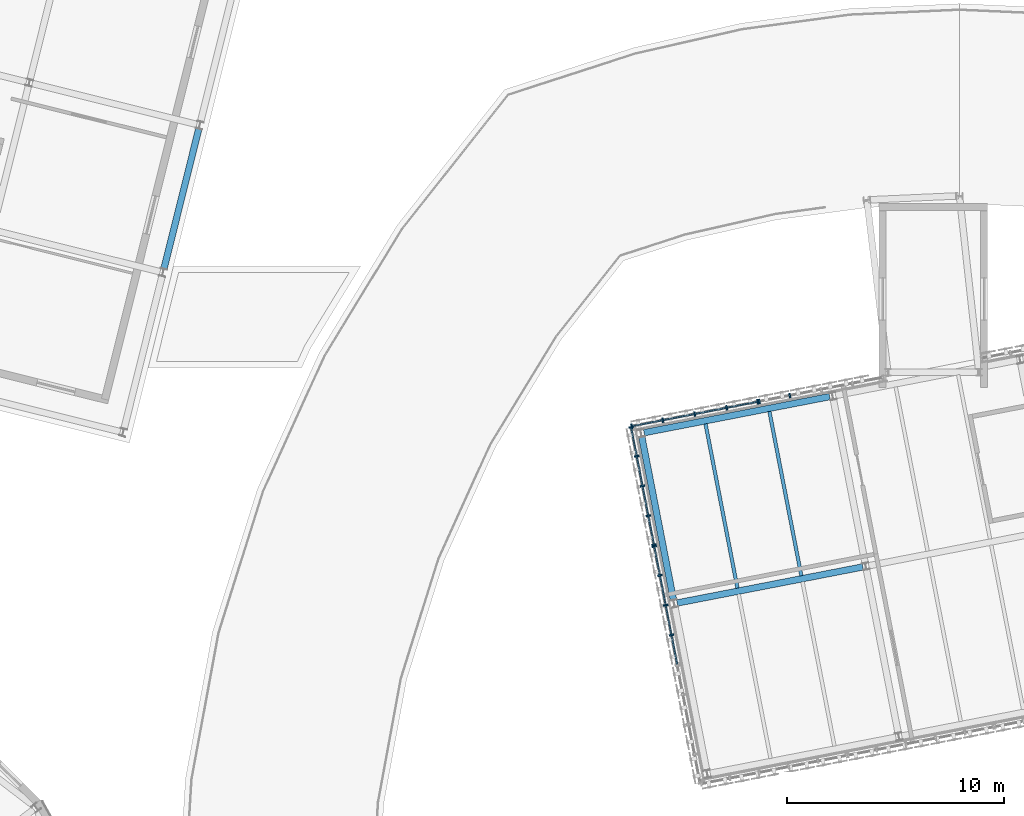
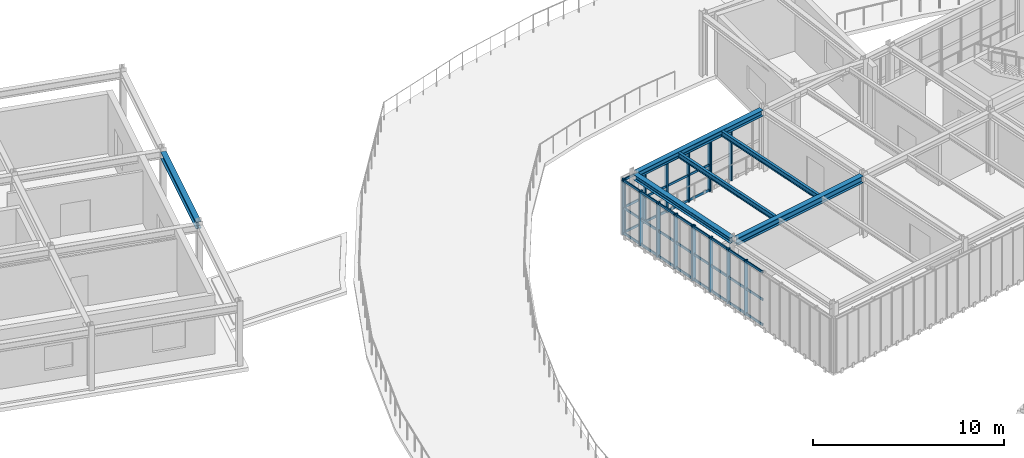
# One storey, part 21 of 59: 25 members, 6 beams, 4 elements without a shape of their own.
"""IFC4 building model written with IfcOpenShell, lengths in metres."""

from ifc_helpers import new_model, si_unit, direction, frame, origin, origin_2d, place, context, subcontext, project, spatial, rectangle, i_section, extrude, material, material_profile, profile_set, type_object, element, aggregate, save


model = new_model("IFC4")

# Units and contexts
model_context = context("Model", 3, precision=1e-05, world=origin(), true_north=direction((0.0, 1.0)))
body_context = subcontext(model_context, "Body", "Model", "MODEL_VIEW")
ifc_project = project(units=[si_unit("LENGTHUNIT", "METRE"), si_unit("AREAUNIT", "SQUARE_METRE"), si_unit("VOLUMEUNIT", "CUBIC_METRE"), si_unit("PLANEANGLEUNIT", "RADIAN"), si_unit("MASSUNIT", "GRAM", prefix="KILO")], contexts=[model_context])

# Site, building, storey
site_placement = place(None, origin())
site = spatial("IfcSite", under=ifc_project, at=site_placement, CompositionType="ELEMENT")
building_placement = place(site_placement, origin())
building = spatial("IfcBuilding", under=site, at=building_placement, Name="Varnklinge Art Gallery", CompositionType="ELEMENT")
storey_placement = place(building_placement, frame((0.0, 0.0, 9.52001953125)))
storey = spatial("IfcBuildingStorey", under=building, at=storey_placement, Name="L02", CompositionType="ELEMENT", Elevation=9.52001953125)

# Beams
ifc_material_1 = material(Name="Steel S355", Category="steel")
ifc_material_profile_1 = material_profile(ifc_material_1, i_section(OverallWidth=0.300048828125, OverallDepth=0.43994140625, WebThickness=0.011474609375, FlangeThickness=0.02099609375, FilletRadius=0.027099609375, at=origin_2d()), Name="HEA 450")
ifc_profile_set_1 = profile_set([ifc_material_profile_1], Name="Steel S355")
beam_type_1 = type_object("IfcBeamType", Name="BM-08", PredefinedType="BEAM", material=ifc_profile_set_1)
beam_1_placement = place(storey_placement, frame((62.483642578125, 69.969970703125, 3.739990234375), z_axis=(0.981628064538, 0.190804462503, 0.0), x_axis=(-0.190804462503, 0.981628064538, 0.0)))
element("IfcBeam", 1, at=beam_1_placement, inside=storey, type_object=beam_type_1, Name="L02 BM-08 BM-V4B-L03-U1-0", PredefinedType="BEAM", context=body_context, shape_type="SweptSolid", body=[
    extrude(i_section(OverallWidth=0.300048828125, OverallDepth=0.43994140625, WebThickness=0.011474609375, FlangeThickness=0.02099609375, FilletRadius=0.027099609375, at=origin_2d()), origin(), (0.0, 0.0, 1.0), 8.719970703125),
])
beam_2_placement = place(storey_placement, frame((38.808837890625, 85.3447265625, 3.699951171875), z_axis=(0.241920106756, 0.970296172283, 0.0), x_axis=(-0.970296172283, 0.241920106756, 0.0)))
element("IfcBeam", 2, at=beam_2_placement, inside=storey, type_object=beam_type_1, Name="L02 BM-08 BM-V5-L03-V4-1", PredefinedType="BEAM", context=body_context, shape_type="SweptSolid", body=[
    extrude(i_section(OverallWidth=0.300048828125, OverallDepth=0.43994140625, WebThickness=0.011474609375, FlangeThickness=0.02099609375, FilletRadius=0.027099609375, at=origin_2d()), origin(), (0.0, 0.0, 1.0), 6.72021484375),
])
ifc_material_2 = material(Name="Steel S355", Category="steel")
ifc_material_profile_2 = material_profile(ifc_material_2, i_section(OverallWidth=0.159912109375, OverallDepth=0.330078125, WebThickness=0.007568359375, FlangeThickness=0.011474609375, FilletRadius=0.01806640625, at=origin_2d()), Name="IPE 330")
ifc_profile_set_2 = profile_set([ifc_material_profile_2], Name="Steel S355")
beam_type_2 = type_object("IfcBeamType", Name="JST-07", PredefinedType="JOIST", material=ifc_profile_set_2)
beam_3_placement = place(storey_placement, frame((65.264404296875, 70.653076171875, 3.794921875), z_axis=(-0.190822257393, 0.98162460548, 0.0), x_axis=(-0.98162460548, -0.190822257393, 0.0)))
element("IfcBeam", 3, at=beam_3_placement, inside=storey, type_object=beam_type_2, Name="L02 JST-07 JST-V4B-L03-0-1-1", PredefinedType="JOIST", context=body_context, shape_type="SweptSolid", body=[
    extrude(i_section(OverallWidth=0.159912109375, OverallDepth=0.330078125, WebThickness=0.007568359375, FlangeThickness=0.011474609375, FilletRadius=0.01806640625, at=origin_2d()), origin(), (0.0, 0.0, 1.0), 7.719970703125),
])
beam_4_placement = place(storey_placement, frame((68.209228515625, 71.225341796875, 3.794921875), z_axis=(-0.190816333803, 0.981625756974, 0.0), x_axis=(-0.981625756974, -0.190816333803, 0.0)))
element("IfcBeam", 4, at=beam_4_placement, inside=storey, type_object=beam_type_2, Name="L02 JST-07 JST-V4B-L03-0-1-2", PredefinedType="JOIST", context=body_context, shape_type="SweptSolid", body=[
    extrude(i_section(OverallWidth=0.159912109375, OverallDepth=0.330078125, WebThickness=0.007568359375, FlangeThickness=0.011474609375, FilletRadius=0.01806640625, at=origin_2d()), origin(), (0.0, 0.0, 1.0), 7.72021484375),
])

# Curtain wall, members
ifc_material_3 = material(Name="Anodised Aluminium", Category="aluminium")
curtain_wall_type_1 = type_object("IfcCurtainWallType", Name="CW-L03", PredefinedType="USERDEFINED", material=ifc_material_3)
curtain_wall_1_placement = place(storey_placement, origin())
curtain_wall_1 = element("IfcCurtainWall", 5, at=curtain_wall_1_placement, inside=storey, type_object=curtain_wall_type_1, Name="L02 Curtain Wall CW-V4B-L02-3-2-1", ObjectType="UNITISED CURTAIN WALL", PredefinedType="USERDEFINED")
ifc_material_4 = material(Name="Anodised Aluminium", Category="aluminium")
ifc_material_profile_3 = material_profile(ifc_material_4, rectangle(XDim=0.074951171875, YDim=0.219970703125, at=origin_2d()), Name="ALU 75x220")
ifc_profile_set_3 = profile_set([ifc_material_profile_3], Name="Anodised Aluminium")
member_type_1 = type_object("IfcMemberType", Name="MUL-02", PredefinedType="MULLION", material=ifc_profile_set_3)
member_1_placement = place(storey_placement, frame((67.676513671875, 79.53662109375, 0.0), z_axis=(0.0, 0.0, 1.0), x_axis=(-0.981627183448, -0.190808995377, 0.0)))
member_1 = element("IfcMember", 6, at=member_1_placement, type_object=member_type_1, Name="CW-V4B-L02-3-2-1 Mullion 4", PredefinedType="MULLION", context=body_context, shape_type="SweptSolid", body=[
    extrude(rectangle(XDim=0.074951171875, YDim=0.219970703125, at=origin_2d()), origin(), (0.0, 0.0, 1.0), 3.510009765625),
])
member_2_placement = place(storey_placement, frame((66.272216796875, 79.263671875, 0.0), z_axis=(0.0, 0.0, 1.0), x_axis=(-0.981627183448, -0.190808995377, 0.0)))
member_2 = element("IfcMember", 7, at=member_2_placement, type_object=member_type_1, Name="CW-V4B-L02-3-2-1 Mullion 5", PredefinedType="MULLION", context=body_context, shape_type="SweptSolid", body=[
    extrude(rectangle(XDim=0.074951171875, YDim=0.219970703125, at=origin_2d()), origin(), (0.0, 0.0, 1.0), 3.510009765625),
])
aggregate(curtain_wall_1, [member_1, member_2])

curtain_wall_2_placement = place(storey_placement, origin())
curtain_wall_2 = element("IfcCurtainWall", 8, at=curtain_wall_2_placement, inside=storey, type_object=curtain_wall_type_1, Name="L02 Curtain Wall CW-V4B-L02-3-2-2", ObjectType="UNITISED CURTAIN WALL", PredefinedType="USERDEFINED")
member_3_placement = place(storey_placement, frame((66.198486328125, 79.249267578125, 0.0), z_axis=(0.0, 0.0, 1.0), x_axis=(-0.981627183448, -0.190808995377, 0.0)))
member_3 = element("IfcMember", 9, at=member_3_placement, type_object=member_type_1, Name="CW-V4B-L02-3-2-2 Mullion 1", PredefinedType="MULLION", context=body_context, shape_type="SweptSolid", body=[
    extrude(rectangle(XDim=0.074951171875, YDim=0.219970703125, at=origin_2d()), origin(), (0.0, 0.0, 1.0), 3.510009765625),
])
member_4_placement = place(storey_placement, frame((64.76416015625, 78.970458984375, 0.0), z_axis=(0.0, 0.0, 1.0), x_axis=(-0.981627183448, -0.190808995377, 0.0)))
member_4 = element("IfcMember", 10, at=member_4_placement, type_object=member_type_1, Name="CW-V4B-L02-3-2-2 Mullion 2", PredefinedType="MULLION", context=body_context, shape_type="SweptSolid", body=[
    extrude(rectangle(XDim=0.074951171875, YDim=0.219970703125, at=origin_2d()), origin(), (0.0, 0.0, 1.0), 3.510009765625),
])
member_5_placement = place(storey_placement, frame((63.29296875, 78.684326171875, 0.0), z_axis=(0.0, 0.0, 1.0), x_axis=(-0.981627183448, -0.190808995377, 0.0)))
member_5 = element("IfcMember", 11, at=member_5_placement, type_object=member_type_1, Name="CW-V4B-L02-3-2-2 Mullion 3", PredefinedType="MULLION", context=body_context, shape_type="SweptSolid", body=[
    extrude(rectangle(XDim=0.074951171875, YDim=0.219970703125, at=origin_2d()), origin(), (0.0, 0.0, 1.0), 3.510009765625),
])
member_6_placement = place(storey_placement, frame((61.82177734375, 78.3984375, 0.0), z_axis=(0.0, 0.0, 1.0), x_axis=(-0.981627183448, -0.190808995377, 0.0)))
member_6 = element("IfcMember", 12, at=member_6_placement, type_object=member_type_1, Name="CW-V4B-L02-3-2-2 Mullion 4", PredefinedType="MULLION", context=body_context, shape_type="SweptSolid", body=[
    extrude(rectangle(XDim=0.074951171875, YDim=0.219970703125, at=origin_2d()), origin(), (0.0, 0.0, 1.0), 3.510009765625),
])
member_7_placement = place(storey_placement, frame((60.387451171875, 78.11962890625, 0.0), z_axis=(0.0, 0.0, 1.0), x_axis=(-0.981627183448, -0.190808995377, 0.0)))
member_7 = element("IfcMember", 13, at=member_7_placement, type_object=member_type_1, Name="CW-V4B-L02-3-2-2 Mullion 5", PredefinedType="MULLION", context=body_context, shape_type="SweptSolid", body=[
    extrude(rectangle(XDim=0.074951171875, YDim=0.219970703125, at=origin_2d()), origin(), (0.0, 0.0, 1.0), 3.510009765625),
])

ifc_material_5 = material(Name="Anodised Aluminium", Category="aluminium")
curtain_wall_type_2 = type_object("IfcCurtainWallType", Name="CW-L07", PredefinedType="USERDEFINED", material=ifc_material_5)
curtain_wall_3_placement = place(storey_placement, origin())
curtain_wall_3 = element("IfcCurtainWall", 14, at=curtain_wall_3_placement, inside=storey, type_object=curtain_wall_type_2, Name="L02 Curtain Wall CW-V4B-L02-4-1-1", ObjectType="UNITISED CURTAIN WALL", PredefinedType="USERDEFINED")
member_8_placement = place(storey_placement, frame((60.35791015625, 78.07568359375, 0.0), z_axis=(0.0, 0.0, 1.0), x_axis=(0.190808995377, -0.981627183448, 0.0)))
member_8 = element("IfcMember", 15, at=member_8_placement, type_object=member_type_1, Name="CW-V4B-L02-4-1-1 Mullion 1", PredefinedType="MULLION", context=body_context, shape_type="SweptSolid", body=[
    extrude(rectangle(XDim=0.074951171875, YDim=0.219970703125, at=origin_2d()), origin(), (0.0, 0.0, 1.0), 3.510009765625),
])
member_9_placement = place(storey_placement, frame((60.617919921875, 76.73828125, 0.0), z_axis=(0.0, 0.0, 1.0), x_axis=(0.190808995377, -0.981627183448, 0.0)))
member_9 = element("IfcMember", 16, at=member_9_placement, type_object=member_type_1, Name="CW-V4B-L02-4-1-1 Mullion 2", PredefinedType="MULLION", context=body_context, shape_type="SweptSolid", body=[
    extrude(rectangle(XDim=0.074951171875, YDim=0.219970703125, at=origin_2d()), origin(), (0.0, 0.0, 1.0), 3.510009765625),
])
member_10_placement = place(storey_placement, frame((60.885009765625, 75.364013671875, 0.0), z_axis=(0.0, 0.0, 1.0), x_axis=(0.190808995377, -0.981627183448, 0.0)))
member_10 = element("IfcMember", 17, at=member_10_placement, type_object=member_type_1, Name="CW-V4B-L02-4-1-1 Mullion 3", PredefinedType="MULLION", context=body_context, shape_type="SweptSolid", body=[
    extrude(rectangle(XDim=0.074951171875, YDim=0.219970703125, at=origin_2d()), origin(), (0.0, 0.0, 1.0), 3.510009765625),
])
member_11_placement = place(storey_placement, frame((61.152099609375, 73.98974609375, 0.0), z_axis=(0.0, 0.0, 1.0), x_axis=(0.190808995377, -0.981627183448, 0.0)))
member_11 = element("IfcMember", 18, at=member_11_placement, type_object=member_type_1, Name="CW-V4B-L02-4-1-1 Mullion 4", PredefinedType="MULLION", context=body_context, shape_type="SweptSolid", body=[
    extrude(rectangle(XDim=0.074951171875, YDim=0.219970703125, at=origin_2d()), origin(), (0.0, 0.0, 1.0), 3.510009765625),
])
member_12_placement = place(storey_placement, frame((61.412109375, 72.652099609375, 0.0), z_axis=(0.0, 0.0, 1.0), x_axis=(0.190808995377, -0.981627183448, 0.0)))
member_12 = element("IfcMember", 19, at=member_12_placement, type_object=member_type_1, Name="CW-V4B-L02-4-1-1 Mullion 5", PredefinedType="MULLION", context=body_context, shape_type="SweptSolid", body=[
    extrude(rectangle(XDim=0.074951171875, YDim=0.219970703125, at=origin_2d()), origin(), (0.0, 0.0, 1.0), 3.510009765625),
])

curtain_wall_4_placement = place(storey_placement, origin())
curtain_wall_4 = element("IfcCurtainWall", 20, at=curtain_wall_4_placement, inside=storey, type_object=curtain_wall_type_2, Name="L02 Curtain Wall CW-V4B-L02-4-1-2", ObjectType="UNITISED CURTAIN WALL", PredefinedType="USERDEFINED")
member_13_placement = place(storey_placement, frame((61.426513671875, 72.57861328125, 0.0), z_axis=(0.0, 0.0, 1.0), x_axis=(0.190808995377, -0.981627183448, 0.0)))
member_13 = element("IfcMember", 21, at=member_13_placement, type_object=member_type_1, Name="CW-V4B-L02-4-1-2 Mullion 1", PredefinedType="MULLION", context=body_context, shape_type="SweptSolid", body=[
    extrude(rectangle(XDim=0.074951171875, YDim=0.219970703125, at=origin_2d()), origin(), (0.0, 0.0, 1.0), 3.510009765625),
])
member_14_placement = place(storey_placement, frame((61.686279296875, 71.2412109375, 0.0), z_axis=(0.0, 0.0, 1.0), x_axis=(0.190808995377, -0.981627183448, 0.0)))
member_14 = element("IfcMember", 22, at=member_14_placement, type_object=member_type_1, Name="CW-V4B-L02-4-1-2 Mullion 2", PredefinedType="MULLION", context=body_context, shape_type="SweptSolid", body=[
    extrude(rectangle(XDim=0.074951171875, YDim=0.219970703125, at=origin_2d()), origin(), (0.0, 0.0, 1.0), 3.510009765625),
])
member_15_placement = place(storey_placement, frame((61.95361328125, 69.86669921875, 0.0), z_axis=(0.0, 0.0, 1.0), x_axis=(0.190808995377, -0.981627183448, 0.0)))
member_15 = element("IfcMember", 23, at=member_15_placement, type_object=member_type_1, Name="CW-V4B-L02-4-1-2 Mullion 3", PredefinedType="MULLION", context=body_context, shape_type="SweptSolid", body=[
    extrude(rectangle(XDim=0.074951171875, YDim=0.219970703125, at=origin_2d()), origin(), (0.0, 0.0, 1.0), 3.510009765625),
])
member_16_placement = place(storey_placement, frame((62.220703125, 68.49267578125, 0.0), z_axis=(0.0, 0.0, 1.0), x_axis=(0.190808995377, -0.981627183448, 0.0)))
member_16 = element("IfcMember", 24, at=member_16_placement, type_object=member_type_1, Name="CW-V4B-L02-4-1-2 Mullion 4", PredefinedType="MULLION", context=body_context, shape_type="SweptSolid", body=[
    extrude(rectangle(XDim=0.074951171875, YDim=0.219970703125, at=origin_2d()), origin(), (0.0, 0.0, 1.0), 3.510009765625),
])

# Beams
ifc_material_6 = material(Name="Steel S355", Category="steel")
ifc_material_profile_4 = material_profile(ifc_material_6, i_section(OverallWidth=0.300048828125, OverallDepth=0.389892578125, WebThickness=0.010986328125, FlangeThickness=0.01904296875, FilletRadius=0.027099609375, at=origin_2d()), Name="HEA 400")
ifc_profile_set_4 = profile_set([ifc_material_profile_4], Name="Steel S355")
beam_type_3 = type_object("IfcBeamType", Name="SPB-03", PredefinedType="SPANDREL", material=ifc_profile_set_4)
beam_5_placement = place(storey_placement, frame((60.95703125, 77.822998046875, 3.764892578125), z_axis=(0.981629083791, 0.190799218699, 0.0), x_axis=(-0.190799218699, 0.981629083791, 0.0)))
element("IfcBeam", 25, at=beam_5_placement, inside=storey, type_object=beam_type_3, Name="L02 SPB-03 BM-V4B-L03-U2-0", PredefinedType="SPANDREL", context=body_context, shape_type="SweptSolid", body=[
    extrude(i_section(OverallWidth=0.300048828125, OverallDepth=0.389892578125, WebThickness=0.010986328125, FlangeThickness=0.01904296875, FilletRadius=0.027099609375, at=origin_2d()), origin(), (0.0, 0.0, 1.0), 8.72021484375),
])
ifc_material_7 = material(Name="Steel S355", Category="steel")
ifc_material_profile_5 = material_profile(ifc_material_7, i_section(OverallWidth=0.300048828125, OverallDepth=0.35009765625, WebThickness=0.010009765625, FlangeThickness=0.017578125, FilletRadius=0.027099609375, at=origin_2d()), Name="HEA 360")
ifc_profile_set_5 = profile_set([ifc_material_profile_5], Name="Steel S355")
beam_type_4 = type_object("IfcBeamType", Name="SPB-04", PredefinedType="SPANDREL", material=ifc_profile_set_5)
beam_6_placement = place(storey_placement, frame((62.319580078125, 70.08056640625, 3.784912109375), z_axis=(-0.190822257393, 0.98162460548, 0.0), x_axis=(-0.98162460548, -0.190822257393, 0.0)))
element("IfcBeam", 26, at=beam_6_placement, inside=storey, type_object=beam_type_4, Name="L02 SPB-04 BM-V4B-L03-V0-1", PredefinedType="SPANDREL", context=body_context, shape_type="SweptSolid", body=[
    extrude(i_section(OverallWidth=0.300048828125, OverallDepth=0.35009765625, WebThickness=0.010009765625, FlangeThickness=0.017578125, FilletRadius=0.027099609375, at=origin_2d()), origin(), (0.0, 0.0, 1.0), 7.719970703125),
])

# Member
ifc_material_8 = material(Name="Anodised Aluminium", Category="aluminium")
ifc_material_profile_6 = material_profile(ifc_material_8, rectangle(XDim=0.06494140625, YDim=0.14990234375, at=origin_2d()), Name="ALU 65x150")
ifc_profile_set_6 = profile_set([ifc_material_profile_6], Name="Anodised Aluminium")
member_type_2 = type_object("IfcMemberType", Name="TRN-01", PredefinedType="USERDEFINED", material=ifc_profile_set_6)
member_17_placement = place(storey_placement, frame((66.198486328125, 79.249267578125, 0.074951171875), z_axis=(-0.981624403391, -0.19082329697, 0.0), x_axis=(0.19082329697, -0.981624403391, 0.0)))
member_17 = element("IfcMember", 27, at=member_17_placement, type_object=member_type_2, Name="CW-V4B-L02-3-2-2 Transom 1", ObjectType="TRANSOM", PredefinedType="USERDEFINED", context=body_context, shape_type="SweptSolid", body=[
    extrude(rectangle(XDim=0.06494140625, YDim=0.14990234375, at=origin_2d()), origin(), (0.0, 0.0, 1.0), 5.919921875),
])

member_18_placement = place(storey_placement, frame((66.198486328125, 79.249267578125, 1.684814453125), z_axis=(-0.981624403391, -0.19082329697, 0.0), x_axis=(0.19082329697, -0.981624403391, 0.0)))
member_18 = element("IfcMember", 28, at=member_18_placement, type_object=member_type_2, Name="CW-V4B-L02-3-2-2 Transom 2", ObjectType="TRANSOM", PredefinedType="USERDEFINED", context=body_context, shape_type="SweptSolid", body=[
    extrude(rectangle(XDim=0.06494140625, YDim=0.14990234375, at=origin_2d()), origin(), (0.0, 0.0, 1.0), 5.919921875),
])

member_19_placement = place(storey_placement, frame((66.198486328125, 79.249267578125, 3.43505859375), z_axis=(-0.981624403391, -0.19082329697, 0.0), x_axis=(0.19082329697, -0.981624403391, 0.0)))
member_19 = element("IfcMember", 29, at=member_19_placement, type_object=member_type_2, Name="CW-V4B-L02-3-2-2 Transom 3", ObjectType="TRANSOM", PredefinedType="USERDEFINED", context=body_context, shape_type="SweptSolid", body=[
    extrude(rectangle(XDim=0.06494140625, YDim=0.14990234375, at=origin_2d()), origin(), (0.0, 0.0, 1.0), 5.919921875),
])

aggregate(curtain_wall_2, [member_3, member_4, member_5, member_6, member_7, member_17, member_18, member_19])

member_20_placement = place(storey_placement, frame((60.35791015625, 78.07568359375, 0.074951171875), z_axis=(0.190802243749, -0.981628495807, 0.0), x_axis=(0.981628495807, 0.190802243749, 0.0)))
member_20 = element("IfcMember", 30, at=member_20_placement, type_object=member_type_2, Name="CW-V4B-L02-4-1-1 Transom 1", ObjectType="TRANSOM", PredefinedType="USERDEFINED", context=body_context, shape_type="SweptSolid", body=[
    extrude(rectangle(XDim=0.06494140625, YDim=0.14990234375, at=origin_2d()), origin(), (0.0, 0.0, 1.0), 5.525146484375),
])

member_21_placement = place(storey_placement, frame((60.35791015625, 78.07568359375, 1.684814453125), z_axis=(0.190802243749, -0.981628495807, 0.0), x_axis=(0.981628495807, 0.190802243749, 0.0)))
member_21 = element("IfcMember", 31, at=member_21_placement, type_object=member_type_2, Name="CW-V4B-L02-4-1-1 Transom 2", ObjectType="TRANSOM", PredefinedType="USERDEFINED", context=body_context, shape_type="SweptSolid", body=[
    extrude(rectangle(XDim=0.06494140625, YDim=0.14990234375, at=origin_2d()), origin(), (0.0, 0.0, 1.0), 5.525146484375),
])

member_22_placement = place(storey_placement, frame((60.35791015625, 78.07568359375, 3.43505859375), z_axis=(0.190802243749, -0.981628495807, 0.0), x_axis=(0.981628495807, 0.190802243749, 0.0)))
member_22 = element("IfcMember", 32, at=member_22_placement, type_object=member_type_2, Name="CW-V4B-L02-4-1-1 Transom 3", ObjectType="TRANSOM", PredefinedType="USERDEFINED", context=body_context, shape_type="SweptSolid", body=[
    extrude(rectangle(XDim=0.06494140625, YDim=0.14990234375, at=origin_2d()), origin(), (0.0, 0.0, 1.0), 5.525146484375),
])

aggregate(curtain_wall_3, [member_8, member_9, member_10, member_11, member_12, member_20, member_21, member_22])

member_23_placement = place(storey_placement, frame((61.426513671875, 72.57861328125, 0.074951171875), z_axis=(0.190802243749, -0.981628495807, 0.0), x_axis=(0.981628495807, 0.190802243749, 0.0)))
member_23 = element("IfcMember", 33, at=member_23_placement, type_object=member_type_2, Name="CW-V4B-L02-4-1-2 Transom 1", ObjectType="TRANSOM", PredefinedType="USERDEFINED", context=body_context, shape_type="SweptSolid", body=[
    extrude(rectangle(XDim=0.06494140625, YDim=0.14990234375, at=origin_2d()), origin(), (0.0, 0.0, 1.0), 5.525146484375),
])

member_24_placement = place(storey_placement, frame((61.426513671875, 72.57861328125, 1.684814453125), z_axis=(0.190802243749, -0.981628495807, 0.0), x_axis=(0.981628495807, 0.190802243749, 0.0)))
member_24 = element("IfcMember", 34, at=member_24_placement, type_object=member_type_2, Name="CW-V4B-L02-4-1-2 Transom 2", ObjectType="TRANSOM", PredefinedType="USERDEFINED", context=body_context, shape_type="SweptSolid", body=[
    extrude(rectangle(XDim=0.06494140625, YDim=0.14990234375, at=origin_2d()), origin(), (0.0, 0.0, 1.0), 5.525146484375),
])

member_25_placement = place(storey_placement, frame((61.426513671875, 72.57861328125, 3.43505859375), z_axis=(0.190802243749, -0.981628495807, 0.0), x_axis=(0.981628495807, 0.190802243749, 0.0)))
member_25 = element("IfcMember", 35, at=member_25_placement, type_object=member_type_2, Name="CW-V4B-L02-4-1-2 Transom 3", ObjectType="TRANSOM", PredefinedType="USERDEFINED", context=body_context, shape_type="SweptSolid", body=[
    extrude(rectangle(XDim=0.06494140625, YDim=0.14990234375, at=origin_2d()), origin(), (0.0, 0.0, 1.0), 5.525146484375),
])

aggregate(curtain_wall_4, [member_13, member_14, member_15, member_16, member_23, member_24, member_25])

save(model, "model.ifc")
